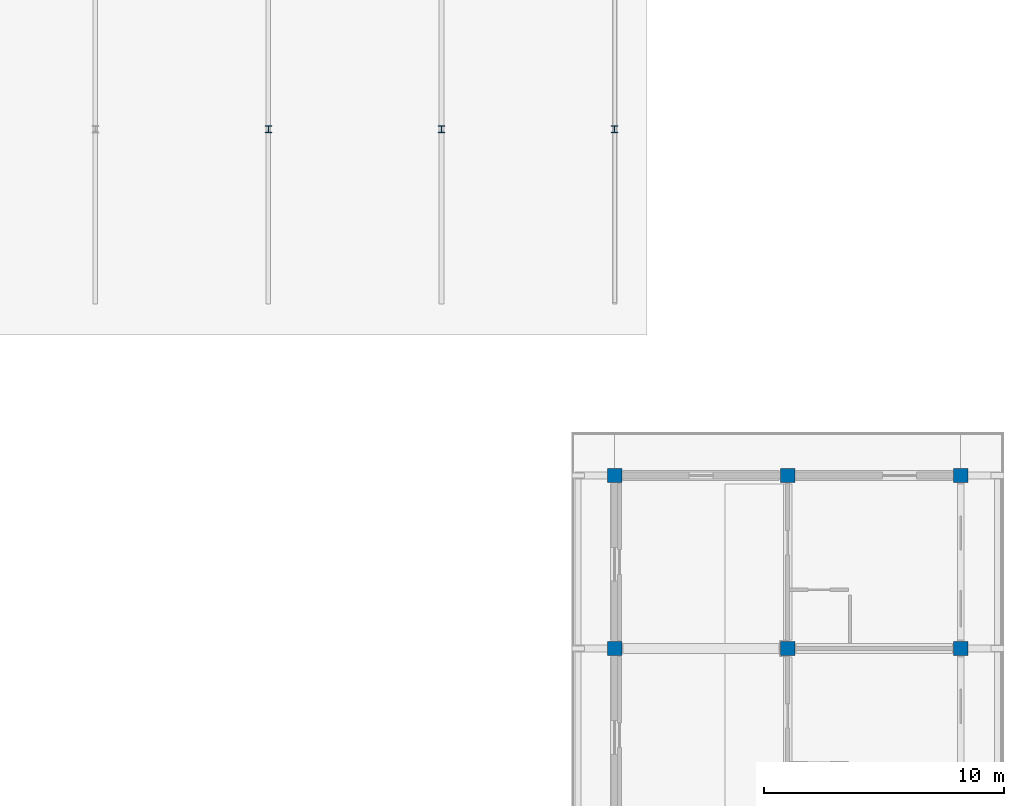
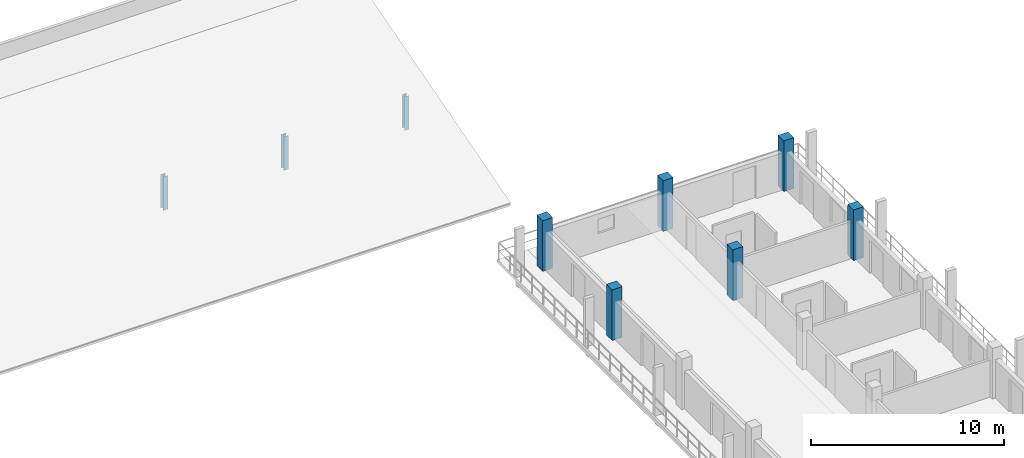
# One storey, part 13 of 157: 9 columns.
"""IFC4 building model written with IfcOpenShell, lengths in metres."""

from ifc_helpers import new_model, si_unit, direction, frame, origin, origin_2d, place, context, subcontext, project, spatial, rectangle, i_section, extrude, material, material_profile, profile_set, type_object, element, save


model = new_model("IFC4")

# Units and contexts
model_context = context("Model", 3, precision=1e-05, world=origin(), true_north=direction((0.0, 1.0)))
body_context = subcontext(model_context, "Body", "Model", "MODEL_VIEW")
ifc_project = project(units=[si_unit("LENGTHUNIT", "METRE"), si_unit("AREAUNIT", "SQUARE_METRE"), si_unit("VOLUMEUNIT", "CUBIC_METRE"), si_unit("PLANEANGLEUNIT", "RADIAN"), si_unit("MASSUNIT", "GRAM", prefix="KILO")], contexts=[model_context])

# Site, building, storey
site_placement = place(None, origin())
site = spatial("IfcSite", under=ifc_project, at=site_placement, CompositionType="ELEMENT")
building_placement = place(site_placement, origin())
building = spatial("IfcBuilding", under=site, at=building_placement, Name="Suanplinth Sawtooth Commons", CompositionType="ELEMENT")
storey_placement = place(building_placement, frame((0.0, 0.0, 9.0)))
storey = spatial("IfcBuildingStorey", under=building, at=storey_placement, Name="L02", CompositionType="ELEMENT", Elevation=9.0)

# Columns
ifc_material_1 = material(Name="Precast concrete C40/50", Category="concrete")
ifc_material_profile_1 = material_profile(ifc_material_1, rectangle(XDim=0.60009765625, YDim=0.60009765625, at=origin_2d()), Name="PC-COL 600x600")
ifc_profile_set_1 = profile_set([ifc_material_profile_1], Name="Precast concrete C40/50")
column_type_1 = type_object("IfcColumnType", Name="C-04", PredefinedType="COLUMN", material=ifc_profile_set_1)
for number, where, z_axis, x_axis, name in (
    (1, (172.800048828125, 36.0, 0.0), (0.0, 0.0, 1.0), (1.0, 0.0, 0.0), "Column L02 25/F"),
    (2, (172.800048828125, 43.199951171875, 0.0), (0.0, 0.0, 1.0), (1.0, 0.0, 0.0), "Column L02 25/G"),
    (3, (180.0, 36.0, 0.0), (0.0, 0.0, 1.0), (1.0, 0.0, 0.0), "Column L02 26/F"),
    (4, (180.0, 43.199951171875, 0.0), (0.0, 0.0, 1.0), (1.0, 0.0, 0.0), "Column L02 26/G"),
    (5, (187.199951171875, 36.0, 0.0), (0.0, 0.0, 1.0), (1.0, 0.0, 0.0), "Column L02 27/F"),
    (6, (187.199951171875, 43.199951171875, 0.0), (0.0, 0.0, 1.0), (1.0, 0.0, 0.0), "Column L02 27/G"),
):
    element("IfcColumn", number, at=place(storey_placement, frame(where, z_axis=z_axis, x_axis=x_axis)), inside=storey, type_object=column_type_1, Name=name, PredefinedType="COLUMN", context=body_context, shape_type="SweptSolid", body=[
        extrude(rectangle(XDim=0.60009765625, YDim=0.60009765625, at=origin_2d()), origin(), (0.0, 0.0, 1.0), 3.199951171875),
    ])
ifc_material_2 = material(Name="Steel S355JR", Category="steel")
ifc_material_profile_2 = material_profile(ifc_material_2, i_section(OverallWidth=0.280029296875, OverallDepth=0.280029296875, WebThickness=0.010498046875, FlangeThickness=0.01806640625, at=origin_2d()), Name="HEB 280")
ifc_profile_set_2 = profile_set([ifc_material_profile_2], Name="Steel S355JR")
column_type_2 = type_object("IfcColumnType", Name="C-11", PredefinedType="COLUMN", material=ifc_profile_set_2)
for number, where, z_axis, x_axis, name in (
    (7, (158.39990234375, 57.60009765625, 0.0), (0.0, 0.0, 1.0), (1.0, 0.0, 0.0), "Nursery Mid-Span Steel Post 23"),
    (8, (165.60009765625, 57.60009765625, 0.0), (0.0, 0.0, 1.0), (1.0, 0.0, 0.0), "Nursery Mid-Span Steel Post 24"),
    (9, (172.800048828125, 57.60009765625, 0.0), (0.0, 0.0, 1.0), (1.0, 0.0, 0.0), "Nursery Mid-Span Steel Post 25"),
):
    element("IfcColumn", number, at=place(storey_placement, frame(where, z_axis=z_axis, x_axis=x_axis)), inside=storey, type_object=column_type_2, Name=name, PredefinedType="COLUMN", context=body_context, shape_type="SweptSolid", body=[
        extrude(i_section(OverallWidth=0.280029296875, OverallDepth=0.280029296875, WebThickness=0.010498046875, FlangeThickness=0.01806640625, at=origin_2d()), origin(), (0.0, 0.0, 1.0), 2.1201171875),
    ])

save(model, "model.ifc")
